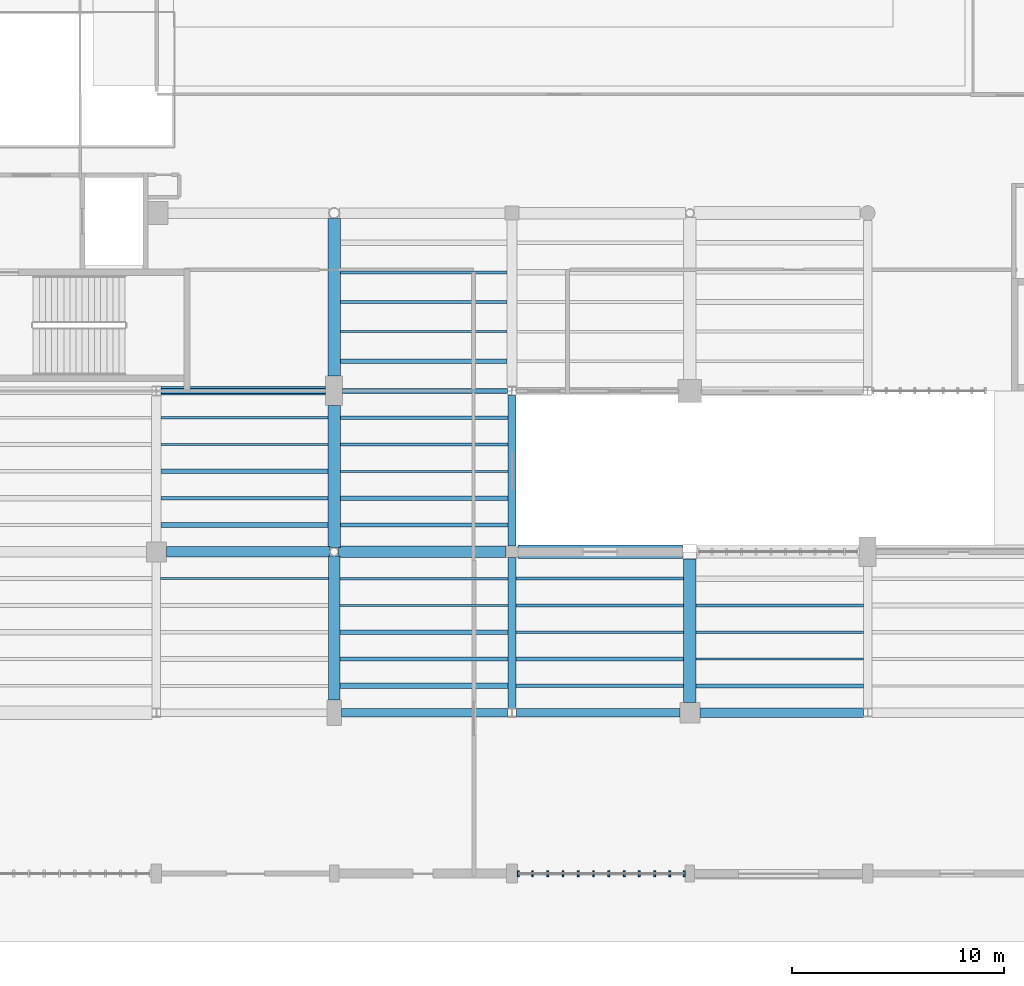
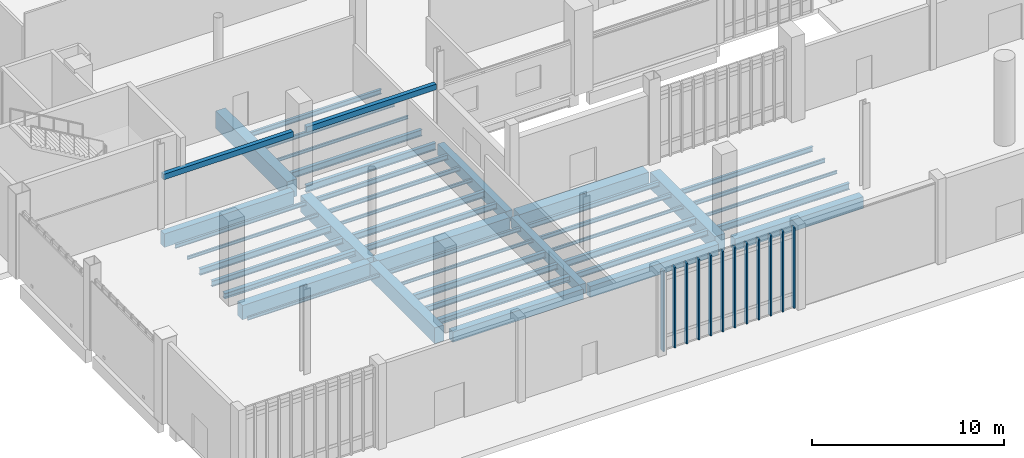
# One storey, part 14 of 111: 45 beams, 12 members, 1 element without a shape of its own.
"""IFC4 building model written with IfcOpenShell, lengths in metres."""

from ifc_helpers import new_model, si_unit, direction, frame, origin, origin_2d, place, context, subcontext, project, spatial, rectangle, i_section, extrude, material, material_profile, profile_set, type_object, element, aggregate, save


model = new_model("IFC4")

# Units and contexts
model_context = context("Model", 3, precision=1e-05, world=origin(), true_north=direction((0.0, 1.0)))
body_context = subcontext(model_context, "Body", "Model", "MODEL_VIEW")
ifc_project = project(units=[si_unit("LENGTHUNIT", "METRE"), si_unit("AREAUNIT", "SQUARE_METRE"), si_unit("VOLUMEUNIT", "CUBIC_METRE"), si_unit("PLANEANGLEUNIT", "RADIAN"), si_unit("MASSUNIT", "GRAM", prefix="KILO")], contexts=[model_context])

# Site, building, storey
site_placement = place(None, origin())
site = spatial("IfcSite", under=ifc_project, at=site_placement, CompositionType="ELEMENT")
building_placement = place(site_placement, origin())
building = spatial("IfcBuilding", under=site, at=building_placement, Name="Larkvane Passage Sports Hall", CompositionType="ELEMENT")
storey_placement = place(building_placement, origin())
storey = spatial("IfcBuildingStorey", under=building, at=storey_placement, Name="L00", CompositionType="ELEMENT", Elevation=0.0)

# Beams
ifc_material_1 = material(Name="Concrete C40/50", Category="concrete")
ifc_material_profile_1 = material_profile(ifc_material_1, rectangle(XDim=0.39990234375, YDim=0.64990234375, at=origin_2d()), Name="RC-BM-400x650")
ifc_profile_set_1 = profile_set([ifc_material_profile_1], Name="Concrete C40/50")
beam_type_1 = type_object("IfcBeamType", Name="BM-RC-400x650", PredefinedType="BEAM", material=ifc_profile_set_1)
beam_1_placement = place(storey_placement, frame((51.949951171875, 7.60009765625, -0.7451171875), z_axis=(1.0, 0.0, 0.0), x_axis=(0.0, 1.0, 0.0)))
element("IfcBeam", 1, at=beam_1_placement, inside=storey, type_object=beam_type_1, Name="Girder BM5-X-L00-B-0003", PredefinedType="BEAM", context=body_context, shape_type="SweptSolid", body=[
    extrude(rectangle(XDim=0.39990234375, YDim=0.64990234375, at=origin_2d()), origin(), (0.0, 0.0, 1.0), 7.84765625),
])
beam_2_placement = place(storey_placement, frame((60.0, 7.806884765625, -0.7451171875), z_axis=(0.0, 1.0, 0.0), x_axis=(-1.0, 0.0, 0.0)))
element("IfcBeam", 2, at=beam_2_placement, inside=storey, type_object=beam_type_1, Name="Girder BM5-Y-L00-9-0094", PredefinedType="BEAM", context=body_context, shape_type="SweptSolid", body=[
    extrude(rectangle(XDim=0.39990234375, YDim=0.64990234375, at=origin_2d()), origin(), (0.0, 0.0, 1.0), 7.1181640625),
])
ifc_material_profile_2 = material_profile(ifc_material_1, rectangle(XDim=0.39990234375, YDim=0.699951171875, at=origin_2d()), Name="RC-BM-400x700")
ifc_profile_set_2 = profile_set([ifc_material_profile_2], Name="Concrete C40/50")
beam_type_2 = type_object("IfcBeamType", Name="BM-RC-400x700", PredefinedType="BEAM", material=ifc_profile_set_2)
beam_3_placement = place(storey_placement, frame((60.202392578125, 7.60009765625, -0.77001953125), z_axis=(1.0, 0.0, 0.0), x_axis=(0.0, 1.0, 0.0)))
element("IfcBeam", 3, at=beam_3_placement, inside=storey, type_object=beam_type_2, Name="Girder BM5-X-L00-B-0004", PredefinedType="BEAM", context=body_context, shape_type="SweptSolid", body=[
    extrude(rectangle(XDim=0.39990234375, YDim=0.699951171875, at=origin_2d()), origin(), (0.0, 0.0, 1.0), 7.72265625),
])
beam_4_placement = place(storey_placement, frame((60.0, 15.47509765625, -0.77001953125), z_axis=(0.0, 1.0, 0.0), x_axis=(-1.0, 0.0, 0.0)))
element("IfcBeam", 4, at=beam_4_placement, inside=storey, type_object=beam_type_2, Name="Girder BM5-Y-L00-9-0095", PredefinedType="BEAM", context=body_context, shape_type="SweptSolid", body=[
    extrude(rectangle(XDim=0.39990234375, YDim=0.699951171875, at=origin_2d()), origin(), (0.0, 0.0, 1.0), 7.11083984375),
])
ifc_material_profile_3 = material_profile(ifc_material_1, rectangle(XDim=0.449951171875, YDim=0.75, at=origin_2d()), Name="RC-BM-450x750")
ifc_profile_set_3 = profile_set([ifc_material_profile_3], Name="Concrete C40/50")
beam_type_3 = type_object("IfcBeamType", Name="BM-RC-450x750", PredefinedType="BEAM", material=ifc_profile_set_3)
beam_5_placement = place(storey_placement, frame((68.875, 7.60009765625, -0.794921875), z_axis=(1.0, 0.0, 0.0), x_axis=(0.0, 1.0, 0.0)))
element("IfcBeam", 5, at=beam_5_placement, inside=storey, type_object=beam_type_3, Name="Girder BM5-X-L00-B-0005", PredefinedType="BEAM", context=body_context, shape_type="SweptSolid", body=[
    extrude(rectangle(XDim=0.449951171875, YDim=0.75, at=origin_2d()), origin(), (0.0, 0.0, 1.0), 7.72509765625),
])
ifc_material_profile_4 = material_profile(ifc_material_1, rectangle(XDim=0.5, YDim=0.89990234375, at=origin_2d()), Name="RC-BM-500x900")
ifc_profile_set_4 = profile_set([ifc_material_profile_4], Name="Concrete C40/50")
beam_type_4 = type_object("IfcBeamType", Name="BM-RC-500x900", PredefinedType="BEAM", material=ifc_profile_set_4)
beam_6_placement = place(storey_placement, frame((43.675048828125, 15.199951171875, -0.8701171875), z_axis=(1.0, 0.0, 0.0), x_axis=(0.0, 1.0, 0.0)))
element("IfcBeam", 6, at=beam_6_placement, inside=storey, type_object=beam_type_4, Name="Girder BM5-X-L00-C-0008", PredefinedType="BEAM", context=body_context, shape_type="SweptSolid", body=[
    extrude(rectangle(XDim=0.5, YDim=0.89990234375, at=origin_2d()), origin(), (0.0, 0.0, 1.0), 7.7216796875),
])
ifc_material_2 = material(Name="Concrete C50/60", Category="concrete")
ifc_material_profile_5 = material_profile(ifc_material_2, rectangle(XDim=0.550048828125, YDim=1.0, at=origin_2d()), Name="RC-BM-550x1000")
ifc_profile_set_5 = profile_set([ifc_material_profile_5], Name="Concrete C50/60")
beam_type_5 = type_object("IfcBeamType", Name="BM-RC-550x1000", PredefinedType="BEAM", material=ifc_profile_set_5)
beam_7_placement = place(storey_placement, frame((51.80322265625, 15.199951171875, -0.919921875), z_axis=(1.0, 0.0, 0.0), x_axis=(0.0, 1.0, 0.0)))
element("IfcBeam", 7, at=beam_7_placement, inside=storey, type_object=beam_type_5, Name="Girder BM5-X-L00-C-0009", PredefinedType="BEAM", context=body_context, shape_type="SweptSolid", body=[
    extrude(rectangle(XDim=0.550048828125, YDim=1.0, at=origin_2d()), origin(), (0.0, 0.0, 1.0), 7.921875),
])
beam_8_placement = place(storey_placement, frame((51.60009765625, 8.199951171875, -0.919921875), z_axis=(0.0, 1.0, 0.0), x_axis=(-1.0, 0.0, 0.0)))
element("IfcBeam", 8, at=beam_8_placement, inside=storey, type_object=beam_type_5, Name="Girder BM5-Y-L00-8-0087", PredefinedType="BEAM", context=body_context, shape_type="SweptSolid", body=[
    extrude(rectangle(XDim=0.550048828125, YDim=1.0, at=origin_2d()), origin(), (0.0, 0.0, 1.0), 6.796875),
])
ifc_material_profile_6 = material_profile(ifc_material_2, rectangle(XDim=0.60009765625, YDim=1.050048828125, at=origin_2d()), Name="RC-BM-600x1050")
ifc_profile_set_6 = profile_set([ifc_material_profile_6], Name="Concrete C50/60")
beam_type_6 = type_object("IfcBeamType", Name="BM-RC-600x1050", PredefinedType="BEAM", material=ifc_profile_set_6)
beam_9_placement = place(storey_placement, frame((51.60009765625, 15.4033203125, -0.945068359375), z_axis=(0.0, 1.0, 0.0), x_axis=(-1.0, 0.0, 0.0)))
element("IfcBeam", 9, at=beam_9_placement, inside=storey, type_object=beam_type_6, Name="Girder BM5-Y-L00-8-0088", PredefinedType="BEAM", context=body_context, shape_type="SweptSolid", body=[
    extrude(rectangle(XDim=0.60009765625, YDim=1.050048828125, at=origin_2d()), origin(), (0.0, 0.0, 1.0), 6.69677734375),
])
beam_10_placement = place(storey_placement, frame((68.39990234375, 8.074951171875, -0.945068359375), z_axis=(0.0, 1.0, 0.0), x_axis=(-1.0, 0.0, 0.0)))
element("IfcBeam", 10, at=beam_10_placement, inside=storey, type_object=beam_type_6, Name="Girder BM5-Y-L00-10-0101", PredefinedType="BEAM", context=body_context, shape_type="SweptSolid", body=[
    extrude(rectangle(XDim=0.60009765625, YDim=1.050048828125, at=origin_2d()), origin(), (0.0, 0.0, 1.0), 6.775146484375),
])
ifc_material_profile_7 = material_profile(ifc_material_2, rectangle(XDim=0.60009765625, YDim=1.10009765625, at=origin_2d()), Name="RC-BM-600x1100")
ifc_profile_set_7 = profile_set([ifc_material_profile_7], Name="Concrete C50/60")
beam_type_7 = type_object("IfcBeamType", Name="BM-RC-600x1100", PredefinedType="BEAM", material=ifc_profile_set_7)
beam_11_placement = place(storey_placement, frame((51.60009765625, 23.5, -0.969970703125), z_axis=(0.0, 1.0, 0.0), x_axis=(-1.0, 0.0, 0.0)))
element("IfcBeam", 11, at=beam_11_placement, inside=storey, type_object=beam_type_7, Name="Girder BM5-Y-L00-8-0089", PredefinedType="BEAM", context=body_context, shape_type="SweptSolid", body=[
    extrude(rectangle(XDim=0.60009765625, YDim=1.10009765625, at=origin_2d()), origin(), (0.0, 0.0, 1.0), 7.446044921875),
])

# Curtain wall, members
ifc_material_3 = material(Name="Thermally broken aluminium and low-E glazing", Category="aluminium")
curtain_wall_type = type_object("IfcCurtainWallType", Name="CW-STICK-FOYER", PredefinedType="USERDEFINED", material=ifc_material_3)
curtain_wall_placement = place(storey_placement, origin())
curtain_wall = element("IfcCurtainWall", 12, at=curtain_wall_placement, inside=storey, type_object=curtain_wall_type, Name="Curtain wall CW5-L00-002", ObjectType="STICK CURTAIN WALL", PredefinedType="USERDEFINED")
ifc_material_4 = material(Name="Anodised aluminium 6063-T6", Category="aluminium")
ifc_material_profile_8 = material_profile(ifc_material_4, rectangle(XDim=0.090087890625, YDim=0.280029296875, at=origin_2d()), Name="ALU-MUL-90x280")
ifc_profile_set_8 = profile_set([ifc_material_profile_8], Name="Anodised aluminium 6063-T6")
member_type = type_object("IfcMemberType", Name="CW-MUL-90x280", PredefinedType="MULLION", material=ifc_profile_set_8)
member_1_placement = place(storey_placement, frame((68.134033203125, 0.0, 0.0), z_axis=(0.0, 0.0, 1.0), x_axis=(-1.0, 0.0, 0.0)))
member_1 = element("IfcMember", 13, at=member_1_placement, type_object=member_type, Name="CW-03 mullion 1", PredefinedType="MULLION", context=body_context, shape_type="SweptSolid", body=[
    extrude(rectangle(XDim=0.090087890625, YDim=0.280029296875, at=origin_2d()), origin(), (0.0, 0.0, 1.0), 5.10009765625),
])
member_2_placement = place(storey_placement, frame((67.457763671875, 0.0, 0.0), z_axis=(0.0, 0.0, 1.0), x_axis=(-1.0, 0.0, 0.0)))
member_2 = element("IfcMember", 14, at=member_2_placement, type_object=member_type, Name="CW-03 mullion 2", PredefinedType="MULLION", context=body_context, shape_type="SweptSolid", body=[
    extrude(rectangle(XDim=0.090087890625, YDim=0.280029296875, at=origin_2d()), origin(), (0.0, 0.0, 1.0), 5.10009765625),
])
member_3_placement = place(storey_placement, frame((66.736572265625, 0.0, 0.0), z_axis=(0.0, 0.0, 1.0), x_axis=(-1.0, 0.0, 0.0)))
member_3 = element("IfcMember", 15, at=member_3_placement, type_object=member_type, Name="CW-03 mullion 3", PredefinedType="MULLION", context=body_context, shape_type="SweptSolid", body=[
    extrude(rectangle(XDim=0.090087890625, YDim=0.280029296875, at=origin_2d()), origin(), (0.0, 0.0, 1.0), 5.10009765625),
])
member_4_placement = place(storey_placement, frame((66.015380859375, 0.0, 0.0), z_axis=(0.0, 0.0, 1.0), x_axis=(-1.0, 0.0, 0.0)))
member_4 = element("IfcMember", 16, at=member_4_placement, type_object=member_type, Name="CW-03 mullion 4", PredefinedType="MULLION", context=body_context, shape_type="SweptSolid", body=[
    extrude(rectangle(XDim=0.090087890625, YDim=0.280029296875, at=origin_2d()), origin(), (0.0, 0.0, 1.0), 5.10009765625),
])
member_5_placement = place(storey_placement, frame((65.294189453125, 0.0, 0.0), z_axis=(0.0, 0.0, 1.0), x_axis=(-1.0, 0.0, 0.0)))
member_5 = element("IfcMember", 17, at=member_5_placement, type_object=member_type, Name="CW-03 mullion 5", PredefinedType="MULLION", context=body_context, shape_type="SweptSolid", body=[
    extrude(rectangle(XDim=0.090087890625, YDim=0.280029296875, at=origin_2d()), origin(), (0.0, 0.0, 1.0), 5.10009765625),
])
member_6_placement = place(storey_placement, frame((64.572998046875, 0.0, 0.0), z_axis=(0.0, 0.0, 1.0), x_axis=(-1.0, 0.0, 0.0)))
member_6 = element("IfcMember", 18, at=member_6_placement, type_object=member_type, Name="CW-03 mullion 6", PredefinedType="MULLION", context=body_context, shape_type="SweptSolid", body=[
    extrude(rectangle(XDim=0.090087890625, YDim=0.280029296875, at=origin_2d()), origin(), (0.0, 0.0, 1.0), 5.10009765625),
])
member_7_placement = place(storey_placement, frame((63.851806640625, 0.0, 0.0), z_axis=(0.0, 0.0, 1.0), x_axis=(-1.0, 0.0, 0.0)))
member_7 = element("IfcMember", 19, at=member_7_placement, type_object=member_type, Name="CW-03 mullion 7", PredefinedType="MULLION", context=body_context, shape_type="SweptSolid", body=[
    extrude(rectangle(XDim=0.090087890625, YDim=0.280029296875, at=origin_2d()), origin(), (0.0, 0.0, 1.0), 5.10009765625),
])
member_8_placement = place(storey_placement, frame((63.130615234375, 0.0, 0.0), z_axis=(0.0, 0.0, 1.0), x_axis=(-1.0, 0.0, 0.0)))
member_8 = element("IfcMember", 20, at=member_8_placement, type_object=member_type, Name="CW-03 mullion 8", PredefinedType="MULLION", context=body_context, shape_type="SweptSolid", body=[
    extrude(rectangle(XDim=0.090087890625, YDim=0.280029296875, at=origin_2d()), origin(), (0.0, 0.0, 1.0), 5.10009765625),
])
member_9_placement = place(storey_placement, frame((62.409423828125, 0.0, 0.0), z_axis=(0.0, 0.0, 1.0), x_axis=(-1.0, 0.0, 0.0)))
member_9 = element("IfcMember", 21, at=member_9_placement, type_object=member_type, Name="CW-03 mullion 9", PredefinedType="MULLION", context=body_context, shape_type="SweptSolid", body=[
    extrude(rectangle(XDim=0.090087890625, YDim=0.280029296875, at=origin_2d()), origin(), (0.0, 0.0, 1.0), 5.10009765625),
])
member_10_placement = place(storey_placement, frame((61.6884765625, 0.0, 0.0), z_axis=(0.0, 0.0, 1.0), x_axis=(-1.0, 0.0, 0.0)))
member_10 = element("IfcMember", 22, at=member_10_placement, type_object=member_type, Name="CW-03 mullion 10", PredefinedType="MULLION", context=body_context, shape_type="SweptSolid", body=[
    extrude(rectangle(XDim=0.090087890625, YDim=0.280029296875, at=origin_2d()), origin(), (0.0, 0.0, 1.0), 5.10009765625),
])
member_11_placement = place(storey_placement, frame((60.96728515625, 0.0, 0.0), z_axis=(0.0, 0.0, 1.0), x_axis=(-1.0, 0.0, 0.0)))
member_11 = element("IfcMember", 23, at=member_11_placement, type_object=member_type, Name="CW-03 mullion 11", PredefinedType="MULLION", context=body_context, shape_type="SweptSolid", body=[
    extrude(rectangle(XDim=0.090087890625, YDim=0.280029296875, at=origin_2d()), origin(), (0.0, 0.0, 1.0), 5.10009765625),
])
member_12_placement = place(storey_placement, frame((60.291015625, 0.0, 0.0), z_axis=(0.0, 0.0, 1.0), x_axis=(-1.0, 0.0, 0.0)))
member_12 = element("IfcMember", 24, at=member_12_placement, type_object=member_type, Name="CW-03 mullion 12", PredefinedType="MULLION", context=body_context, shape_type="SweptSolid", body=[
    extrude(rectangle(XDim=0.090087890625, YDim=0.280029296875, at=origin_2d()), origin(), (0.0, 0.0, 1.0), 5.10009765625),
])
aggregate(curtain_wall, [member_1, member_2, member_3, member_4, member_5, member_6, member_7, member_8, member_9, member_10, member_11, member_12])

# Beams
ifc_material_5 = material(Name="Steel S355JR", Category="steel")
ifc_material_profile_9 = material_profile(ifc_material_5, i_section(OverallWidth=0.10009765625, OverallDepth=0.199951171875, WebThickness=0.005615234375, FlangeThickness=0.008056640625, FilletRadius=0.008056640625, at=origin_2d()), Name="H-200x100x5.5x8")
ifc_profile_set_9 = profile_set([ifc_material_profile_9], Name="Steel S355JR")
beam_type_8 = type_object("IfcBeamType", Name="JST-STL-H200", PredefinedType="JOIST", material=ifc_profile_set_9)
beam_12_placement = place(storey_placement, frame((43.39990234375, 13.933349609375, -0.52001953125), z_axis=(1.0, 0.0, 0.0), x_axis=(0.0, 1.0, 0.0)))
element("IfcBeam", 25, at=beam_12_placement, inside=storey, type_object=beam_type_8, Name="Composite joist L00 7/B-5", PredefinedType="JOIST", context=body_context, shape_type="SweptSolid", body=[
    extrude(i_section(OverallWidth=0.10009765625, OverallDepth=0.199951171875, WebThickness=0.005615234375, FlangeThickness=0.008056640625, FilletRadius=0.008056640625, at=origin_2d()), origin(), (0.0, 0.0, 1.0), 7.925048828125),
])
beam_13_placement = place(storey_placement, frame((43.425048828125, 20.2666015625, -0.52001953125), z_axis=(1.0, 0.0, 0.0), x_axis=(0.0, 1.0, 0.0)))
element("IfcBeam", 26, at=beam_13_placement, inside=storey, type_object=beam_type_8, Name="Composite joist L00 7/C-4", PredefinedType="JOIST", context=body_context, shape_type="SweptSolid", body=[
    extrude(i_section(OverallWidth=0.10009765625, OverallDepth=0.199951171875, WebThickness=0.005615234375, FlangeThickness=0.008056640625, FilletRadius=0.008056640625, at=origin_2d()), origin(), (0.0, 0.0, 1.0), 7.875),
])
beam_14_placement = place(storey_placement, frame((51.875, 12.666748046875, -0.52001953125), z_axis=(1.0, 0.0, 0.0), x_axis=(0.0, 1.0, 0.0)))
element("IfcBeam", 27, at=beam_14_placement, inside=storey, type_object=beam_type_8, Name="Composite joist L00 8/B-4", PredefinedType="JOIST", context=body_context, shape_type="SweptSolid", body=[
    extrude(i_section(OverallWidth=0.10009765625, OverallDepth=0.199951171875, WebThickness=0.005615234375, FlangeThickness=0.008056640625, FilletRadius=0.008056640625, at=origin_2d()), origin(), (0.0, 0.0, 1.0), 7.925048828125),
])
beam_15_placement = place(storey_placement, frame((51.89990234375, 19.0, -0.52001953125), z_axis=(1.0, 0.0, 0.0), x_axis=(0.0, 1.0, 0.0)))
element("IfcBeam", 28, at=beam_15_placement, inside=storey, type_object=beam_type_8, Name="Composite joist L00 8/C-3", PredefinedType="JOIST", context=body_context, shape_type="SweptSolid", body=[
    extrude(i_section(OverallWidth=0.10009765625, OverallDepth=0.199951171875, WebThickness=0.005615234375, FlangeThickness=0.008056640625, FilletRadius=0.008056640625, at=origin_2d()), origin(), (0.0, 0.0, 1.0), 7.900146484375),
])
beam_16_placement = place(storey_placement, frame((51.89990234375, 25.60009765625, -0.52001953125), z_axis=(1.0, 0.0, 0.0), x_axis=(0.0, 1.0, 0.0)))
element("IfcBeam", 29, at=beam_16_placement, inside=storey, type_object=beam_type_8, Name="Composite joist L00 8/D-2", PredefinedType="JOIST", context=body_context, shape_type="SweptSolid", body=[
    extrude(i_section(OverallWidth=0.10009765625, OverallDepth=0.199951171875, WebThickness=0.005615234375, FlangeThickness=0.008056640625, FilletRadius=0.008056640625, at=origin_2d()), origin(), (0.0, 0.0, 1.0), 7.875),
])
for number, where, z_axis, x_axis, name in (
    (30, (60.199951171875, 11.39990234375, -0.52001953125), (1.0, 0.0, 0.0), (0.0, 1.0, 0.0), "Composite joist L00 9/B-3"),
    (31, (68.699951171875, 10.13330078125, -0.52001953125), (1.0, 0.0, 0.0), (0.0, 1.0, 0.0), "Composite joist L00 10/B-2"),
):
    element("IfcBeam", number, at=place(storey_placement, frame(where, z_axis=z_axis, x_axis=x_axis)), inside=storey, type_object=beam_type_8, Name=name, PredefinedType="JOIST", context=body_context, shape_type="SweptSolid", body=[
        extrude(i_section(OverallWidth=0.10009765625, OverallDepth=0.199951171875, WebThickness=0.005615234375, FlangeThickness=0.008056640625, FilletRadius=0.008056640625, at=origin_2d()), origin(), (0.0, 0.0, 1.0), 7.900146484375),
    ])
ifc_material_profile_10 = material_profile(ifc_material_5, i_section(OverallWidth=0.125, OverallDepth=0.25, WebThickness=0.006103515625, FlangeThickness=0.009033203125, FilletRadius=0.008056640625, at=origin_2d()), Name="H-250x125x6x9")
ifc_profile_set_10 = profile_set([ifc_material_profile_10], Name="Steel S355JR")
beam_type_9 = type_object("IfcBeamType", Name="JST-STL-H250", PredefinedType="JOIST", material=ifc_profile_set_10)
beam_17_placement = place(storey_placement, frame((43.425048828125, 21.533447265625, -0.544921875), z_axis=(1.0, 0.0, 0.0), x_axis=(0.0, 1.0, 0.0)))
element("IfcBeam", 32, at=beam_17_placement, inside=storey, type_object=beam_type_9, Name="Composite joist L00 7/C-5", PredefinedType="JOIST", context=body_context, shape_type="SweptSolid", body=[
    extrude(i_section(OverallWidth=0.125, OverallDepth=0.25, WebThickness=0.006103515625, FlangeThickness=0.009033203125, FilletRadius=0.008056640625, at=origin_2d()), origin(), (0.0, 0.0, 1.0), 7.875),
])
beam_18_placement = place(storey_placement, frame((51.875, 13.933349609375, -0.544921875), z_axis=(1.0, 0.0, 0.0), x_axis=(0.0, 1.0, 0.0)))
element("IfcBeam", 33, at=beam_18_placement, inside=storey, type_object=beam_type_9, Name="Composite joist L00 8/B-5", PredefinedType="JOIST", context=body_context, shape_type="SweptSolid", body=[
    extrude(i_section(OverallWidth=0.125, OverallDepth=0.25, WebThickness=0.006103515625, FlangeThickness=0.009033203125, FilletRadius=0.008056640625, at=origin_2d()), origin(), (0.0, 0.0, 1.0), 7.925048828125),
])
beam_19_placement = place(storey_placement, frame((51.89990234375, 20.2666015625, -0.544921875), z_axis=(1.0, 0.0, 0.0), x_axis=(0.0, 1.0, 0.0)))
element("IfcBeam", 34, at=beam_19_placement, inside=storey, type_object=beam_type_9, Name="Composite joist L00 8/C-4", PredefinedType="JOIST", context=body_context, shape_type="SweptSolid", body=[
    extrude(i_section(OverallWidth=0.125, OverallDepth=0.25, WebThickness=0.006103515625, FlangeThickness=0.009033203125, FilletRadius=0.008056640625, at=origin_2d()), origin(), (0.0, 0.0, 1.0), 7.900146484375),
])
beam_20_placement = place(storey_placement, frame((51.89990234375, 27.0, -0.544921875), z_axis=(1.0, 0.0, 0.0), x_axis=(0.0, 1.0, 0.0)))
element("IfcBeam", 35, at=beam_20_placement, inside=storey, type_object=beam_type_9, Name="Composite joist L00 8/D-3", PredefinedType="JOIST", context=body_context, shape_type="SweptSolid", body=[
    extrude(i_section(OverallWidth=0.125, OverallDepth=0.25, WebThickness=0.006103515625, FlangeThickness=0.009033203125, FilletRadius=0.008056640625, at=origin_2d()), origin(), (0.0, 0.0, 1.0), 7.875),
])
for number, where, z_axis, x_axis, name in (
    (36, (60.199951171875, 12.666748046875, -0.544921875), (1.0, 0.0, 0.0), (0.0, 1.0, 0.0), "Composite joist L00 9/B-4"),
    (37, (68.699951171875, 11.39990234375, -0.544921875), (1.0, 0.0, 0.0), (0.0, 1.0, 0.0), "Composite joist L00 10/B-3"),
):
    element("IfcBeam", number, at=place(storey_placement, frame(where, z_axis=z_axis, x_axis=x_axis)), inside=storey, type_object=beam_type_9, Name=name, PredefinedType="JOIST", context=body_context, shape_type="SweptSolid", body=[
        extrude(i_section(OverallWidth=0.125, OverallDepth=0.25, WebThickness=0.006103515625, FlangeThickness=0.009033203125, FilletRadius=0.008056640625, at=origin_2d()), origin(), (0.0, 0.0, 1.0), 7.900146484375),
    ])
ifc_material_profile_11 = material_profile(ifc_material_5, i_section(OverallWidth=0.14990234375, OverallDepth=0.300048828125, WebThickness=0.006591796875, FlangeThickness=0.009033203125, FilletRadius=0.012939453125, at=origin_2d()), Name="H-300x150x6.5x9")
ifc_profile_set_11 = profile_set([ifc_material_profile_11], Name="Steel S355JR")
beam_type_10 = type_object("IfcBeamType", Name="JST-STL-H300", PredefinedType="JOIST", material=ifc_profile_set_11)
beam_21_placement = place(storey_placement, frame((51.89990234375, 21.533447265625, -0.570068359375), z_axis=(1.0, 0.0, 0.0), x_axis=(0.0, 1.0, 0.0)))
element("IfcBeam", 38, at=beam_21_placement, inside=storey, type_object=beam_type_10, Name="Composite joist L00 8/C-5", PredefinedType="JOIST", context=body_context, shape_type="SweptSolid", body=[
    extrude(i_section(OverallWidth=0.14990234375, OverallDepth=0.300048828125, WebThickness=0.006591796875, FlangeThickness=0.009033203125, FilletRadius=0.012939453125, at=origin_2d()), origin(), (0.0, 0.0, 1.0), 7.900146484375),
])
beam_22_placement = place(storey_placement, frame((51.89990234375, 28.39990234375, -0.570068359375), z_axis=(1.0, 0.0, 0.0), x_axis=(0.0, 1.0, 0.0)))
element("IfcBeam", 39, at=beam_22_placement, inside=storey, type_object=beam_type_10, Name="Composite joist L00 8/D-4", PredefinedType="JOIST", context=body_context, shape_type="SweptSolid", body=[
    extrude(i_section(OverallWidth=0.14990234375, OverallDepth=0.300048828125, WebThickness=0.006591796875, FlangeThickness=0.009033203125, FilletRadius=0.012939453125, at=origin_2d()), origin(), (0.0, 0.0, 1.0), 7.875),
])
for number, where, z_axis, x_axis, name in (
    (40, (60.199951171875, 13.933349609375, -0.570068359375), (1.0, 0.0, 0.0), (0.0, 1.0, 0.0), "Composite joist L00 9/B-5"),
    (41, (68.699951171875, 12.666748046875, -0.570068359375), (1.0, 0.0, 0.0), (0.0, 1.0, 0.0), "Composite joist L00 10/B-4"),
):
    element("IfcBeam", number, at=place(storey_placement, frame(where, z_axis=z_axis, x_axis=x_axis)), inside=storey, type_object=beam_type_10, Name=name, PredefinedType="JOIST", context=body_context, shape_type="SweptSolid", body=[
        extrude(i_section(OverallWidth=0.14990234375, OverallDepth=0.300048828125, WebThickness=0.006591796875, FlangeThickness=0.009033203125, FilletRadius=0.012939453125, at=origin_2d()), origin(), (0.0, 0.0, 1.0), 7.900146484375),
    ])
ifc_material_profile_12 = material_profile(ifc_material_5, i_section(OverallWidth=0.25, OverallDepth=0.340087890625, WebThickness=0.009033203125, FlangeThickness=0.013916015625, FilletRadius=0.012939453125, at=origin_2d()), Name="H-340x250x9x14")
ifc_profile_set_12 = profile_set([ifc_material_profile_12], Name="Steel S355JR")
beam_type_11 = type_object("IfcBeamType", Name="JST-STL-H340", PredefinedType="JOIST", material=ifc_profile_set_12)
beam_23_placement = place(storey_placement, frame((43.425048828125, 16.466552734375, -0.590087890625), z_axis=(1.0, 0.0, 0.0), x_axis=(0.0, 1.0, 0.0)))
element("IfcBeam", 42, at=beam_23_placement, inside=storey, type_object=beam_type_11, Name="Composite joist L00 7/C-1", PredefinedType="JOIST", context=body_context, shape_type="SweptSolid", body=[
    extrude(i_section(OverallWidth=0.25, OverallDepth=0.340087890625, WebThickness=0.009033203125, FlangeThickness=0.013916015625, FilletRadius=0.012939453125, at=origin_2d()), origin(), (0.0, 0.0, 1.0), 7.875),
])
beam_24_placement = place(storey_placement, frame((51.875, 8.86669921875, -0.590087890625), z_axis=(1.0, 0.0, 0.0), x_axis=(0.0, 1.0, 0.0)))
element("IfcBeam", 43, at=beam_24_placement, inside=storey, type_object=beam_type_11, Name="Composite joist L00 8/B-1", PredefinedType="JOIST", context=body_context, shape_type="SweptSolid", body=[
    extrude(i_section(OverallWidth=0.25, OverallDepth=0.340087890625, WebThickness=0.009033203125, FlangeThickness=0.013916015625, FilletRadius=0.012939453125, at=origin_2d()), origin(), (0.0, 0.0, 1.0), 7.925048828125),
])
ifc_material_profile_13 = material_profile(ifc_material_5, i_section(OverallWidth=0.175048828125, OverallDepth=0.35009765625, WebThickness=0.007080078125, FlangeThickness=0.010986328125, FilletRadius=0.012939453125, at=origin_2d()), Name="H-350x175x7x11")
ifc_profile_set_13 = profile_set([ifc_material_profile_13], Name="Steel S355JR")
beam_type_12 = type_object("IfcBeamType", Name="JST-STL-H350", PredefinedType="JOIST", material=ifc_profile_set_13)
beam_25_placement = place(storey_placement, frame((43.425048828125, 17.7333984375, -0.594970703125), z_axis=(1.0, 0.0, 0.0), x_axis=(0.0, 1.0, 0.0)))
element("IfcBeam", 44, at=beam_25_placement, inside=storey, type_object=beam_type_12, Name="Composite joist L00 7/C-2", PredefinedType="JOIST", context=body_context, shape_type="SweptSolid", body=[
    extrude(i_section(OverallWidth=0.175048828125, OverallDepth=0.35009765625, WebThickness=0.007080078125, FlangeThickness=0.010986328125, FilletRadius=0.012939453125, at=origin_2d()), origin(), (0.0, 0.0, 1.0), 7.875),
])
beam_26_placement = place(storey_placement, frame((51.875, 10.13330078125, -0.594970703125), z_axis=(1.0, 0.0, 0.0), x_axis=(0.0, 1.0, 0.0)))
element("IfcBeam", 45, at=beam_26_placement, inside=storey, type_object=beam_type_12, Name="Composite joist L00 8/B-2", PredefinedType="JOIST", context=body_context, shape_type="SweptSolid", body=[
    extrude(i_section(OverallWidth=0.175048828125, OverallDepth=0.35009765625, WebThickness=0.007080078125, FlangeThickness=0.010986328125, FilletRadius=0.012939453125, at=origin_2d()), origin(), (0.0, 0.0, 1.0), 7.925048828125),
])
for number, where, z_axis, x_axis, name in (
    (46, (51.89990234375, 16.466552734375, -0.594970703125), (1.0, 0.0, 0.0), (0.0, 1.0, 0.0), "Composite joist L00 8/C-1"),
    (47, (60.199951171875, 8.86669921875, -0.594970703125), (1.0, 0.0, 0.0), (0.0, 1.0, 0.0), "Composite joist L00 9/B-1"),
):
    element("IfcBeam", number, at=place(storey_placement, frame(where, z_axis=z_axis, x_axis=x_axis)), inside=storey, type_object=beam_type_12, Name=name, PredefinedType="JOIST", context=body_context, shape_type="SweptSolid", body=[
        extrude(i_section(OverallWidth=0.175048828125, OverallDepth=0.35009765625, WebThickness=0.007080078125, FlangeThickness=0.010986328125, FilletRadius=0.012939453125, at=origin_2d()), origin(), (0.0, 0.0, 1.0), 7.900146484375),
    ])
ifc_material_profile_14 = material_profile(ifc_material_5, i_section(OverallWidth=0.199951171875, OverallDepth=0.39990234375, WebThickness=0.008056640625, FlangeThickness=0.012939453125, FilletRadius=0.012939453125, at=origin_2d()), Name="H-400x200x8x13")
ifc_profile_set_14 = profile_set([ifc_material_profile_14], Name="Steel S355JR")
beam_type_13 = type_object("IfcBeamType", Name="JST-STL-H400", PredefinedType="JOIST", material=ifc_profile_set_14)
beam_27_placement = place(storey_placement, frame((43.425048828125, 19.0, -0.6201171875), z_axis=(1.0, 0.0, 0.0), x_axis=(0.0, 1.0, 0.0)))
element("IfcBeam", 48, at=beam_27_placement, inside=storey, type_object=beam_type_13, Name="Composite joist L00 7/C-3", PredefinedType="JOIST", context=body_context, shape_type="SweptSolid", body=[
    extrude(i_section(OverallWidth=0.199951171875, OverallDepth=0.39990234375, WebThickness=0.008056640625, FlangeThickness=0.012939453125, FilletRadius=0.012939453125, at=origin_2d()), origin(), (0.0, 0.0, 1.0), 7.875),
])
beam_28_placement = place(storey_placement, frame((51.875, 11.39990234375, -0.6201171875), z_axis=(1.0, 0.0, 0.0), x_axis=(0.0, 1.0, 0.0)))
element("IfcBeam", 49, at=beam_28_placement, inside=storey, type_object=beam_type_13, Name="Composite joist L00 8/B-3", PredefinedType="JOIST", context=body_context, shape_type="SweptSolid", body=[
    extrude(i_section(OverallWidth=0.199951171875, OverallDepth=0.39990234375, WebThickness=0.008056640625, FlangeThickness=0.012939453125, FilletRadius=0.012939453125, at=origin_2d()), origin(), (0.0, 0.0, 1.0), 7.925048828125),
])
beam_29_placement = place(storey_placement, frame((51.89990234375, 17.7333984375, -0.6201171875), z_axis=(1.0, 0.0, 0.0), x_axis=(0.0, 1.0, 0.0)))
element("IfcBeam", 50, at=beam_29_placement, inside=storey, type_object=beam_type_13, Name="Composite joist L00 8/C-2", PredefinedType="JOIST", context=body_context, shape_type="SweptSolid", body=[
    extrude(i_section(OverallWidth=0.199951171875, OverallDepth=0.39990234375, WebThickness=0.008056640625, FlangeThickness=0.012939453125, FilletRadius=0.012939453125, at=origin_2d()), origin(), (0.0, 0.0, 1.0), 7.900146484375),
])
beam_30_placement = place(storey_placement, frame((51.89990234375, 24.199951171875, -0.6201171875), z_axis=(1.0, 0.0, 0.0), x_axis=(0.0, 1.0, 0.0)))
element("IfcBeam", 51, at=beam_30_placement, inside=storey, type_object=beam_type_13, Name="Composite joist L00 8/D-1", PredefinedType="JOIST", context=body_context, shape_type="SweptSolid", body=[
    extrude(i_section(OverallWidth=0.199951171875, OverallDepth=0.39990234375, WebThickness=0.008056640625, FlangeThickness=0.012939453125, FilletRadius=0.012939453125, at=origin_2d()), origin(), (0.0, 0.0, 1.0), 7.875),
])
for number, where, z_axis, x_axis, name in (
    (52, (60.199951171875, 10.13330078125, -0.6201171875), (1.0, 0.0, 0.0), (0.0, 1.0, 0.0), "Composite joist L00 9/B-2"),
    (53, (68.699951171875, 8.86669921875, -0.6201171875), (1.0, 0.0, 0.0), (0.0, 1.0, 0.0), "Composite joist L00 10/B-1"),
):
    element("IfcBeam", number, at=place(storey_placement, frame(where, z_axis=z_axis, x_axis=x_axis)), inside=storey, type_object=beam_type_13, Name=name, PredefinedType="JOIST", context=body_context, shape_type="SweptSolid", body=[
        extrude(i_section(OverallWidth=0.199951171875, OverallDepth=0.39990234375, WebThickness=0.008056640625, FlangeThickness=0.012939453125, FilletRadius=0.012939453125, at=origin_2d()), origin(), (0.0, 0.0, 1.0), 7.900146484375),
    ])
ifc_material_profile_15 = material_profile(ifc_material_1, rectangle(XDim=0.25, YDim=0.35009765625, at=origin_2d()), Name="RC-LN-250x350")
ifc_profile_set_15 = profile_set([ifc_material_profile_15], Name="Concrete C40/50")
beam_type_14 = type_object("IfcBeamType", Name="LN-RC-250x350", PredefinedType="LINTEL", material=ifc_profile_set_15)
beam_31_placement = place(storey_placement, frame((43.408447265625, 22.800048828125, 3.14990234375), z_axis=(1.0, 0.0, 0.0), x_axis=(0.0, 1.0, 0.0)))
element("IfcBeam", 54, at=beam_31_placement, inside=storey, type_object=beam_type_14, Name="Opening lintel LN-1", PredefinedType="LINTEL", context=body_context, shape_type="SweptSolid", body=[
    extrude(rectangle(XDim=0.25, YDim=0.35009765625, at=origin_2d()), origin(), (0.0, 0.0, 1.0), 7.79150390625),
])
beam_32_placement = place(storey_placement, frame((52.0, 22.800048828125, 3.14990234375), z_axis=(1.0, 0.0, 0.0), x_axis=(0.0, 1.0, 0.0)))
element("IfcBeam", 55, at=beam_32_placement, inside=storey, type_object=beam_type_14, Name="Opening lintel LN-2", PredefinedType="LINTEL", context=body_context, shape_type="SweptSolid", body=[
    extrude(rectangle(XDim=0.25, YDim=0.35009765625, at=origin_2d()), origin(), (0.0, 0.0, 1.0), 7.79638671875),
])
ifc_material_profile_16 = material_profile(ifc_material_1, rectangle(XDim=0.39990234375, YDim=0.85009765625, at=origin_2d()), Name="RC-SP-400x850")
ifc_profile_set_16 = profile_set([ifc_material_profile_16], Name="Concrete C40/50")
beam_type_15 = type_object("IfcBeamType", Name="SP-RC-400x850", PredefinedType="SPANDREL", material=ifc_profile_set_16)
beam_33_placement = place(storey_placement, frame((43.408447265625, 22.800048828125, -0.844970703125), z_axis=(1.0, 0.0, 0.0), x_axis=(0.0, 1.0, 0.0)))
element("IfcBeam", 56, at=beam_33_placement, inside=storey, type_object=beam_type_15, Name="Girder BM5-X-L00-D-0014", PredefinedType="SPANDREL", context=body_context, shape_type="SweptSolid", body=[
    extrude(rectangle(XDim=0.39990234375, YDim=0.85009765625, at=origin_2d()), origin(), (0.0, 0.0, 1.0), 7.79150390625),
])
ifc_material_profile_17 = material_profile(ifc_material_5, i_section(OverallWidth=0.199951171875, OverallDepth=0.449951171875, WebThickness=0.009033203125, FlangeThickness=0.013916015625, FilletRadius=0.01806640625, at=origin_2d()), Name="H-450x200x9x14")
ifc_profile_set_17 = profile_set([ifc_material_profile_17], Name="Steel S355JR")
beam_type_16 = type_object("IfcBeamType", Name="SP-STL-H450", PredefinedType="SPANDREL", material=ifc_profile_set_17)
beam_34_placement = place(storey_placement, frame((52.0, 22.800048828125, -0.64501953125), z_axis=(1.0, 0.0, 0.0), x_axis=(0.0, 1.0, 0.0)))
element("IfcBeam", 57, at=beam_34_placement, inside=storey, type_object=beam_type_16, Name="Girder BM5-X-L00-D-0015", PredefinedType="SPANDREL", context=body_context, shape_type="SweptSolid", body=[
    extrude(i_section(OverallWidth=0.199951171875, OverallDepth=0.449951171875, WebThickness=0.009033203125, FlangeThickness=0.013916015625, FilletRadius=0.01806640625, at=origin_2d()), origin(), (0.0, 0.0, 1.0), 7.79638671875),
])
ifc_material_6 = material(Name="Precast concrete C45/55", Category="concrete")
ifc_material_profile_18 = material_profile(ifc_material_6, rectangle(XDim=0.64990234375, YDim=1.050048828125, at=origin_2d()), Name="RC-TB-650x1050")
ifc_profile_set_18 = profile_set([ifc_material_profile_18], Name="Precast concrete C45/55")
beam_type_17 = type_object("IfcBeamType", Name="TB-RC-650x1050", PredefinedType="T_BEAM", material=ifc_profile_set_18)
beam_35_placement = place(storey_placement, frame((60.27490234375, 15.199951171875, -0.945068359375), z_axis=(1.0, 0.0, 0.0), x_axis=(0.0, 1.0, 0.0)))
element("IfcBeam", 58, at=beam_35_placement, inside=storey, type_object=beam_type_17, Name="Girder BM5-X-L00-C-0010", PredefinedType="T_BEAM", context=body_context, shape_type="SweptSolid", body=[
    extrude(rectangle(XDim=0.64990234375, YDim=1.050048828125, at=origin_2d()), origin(), (0.0, 0.0, 1.0), 7.775146484375),
])

save(model, "model.ifc")
